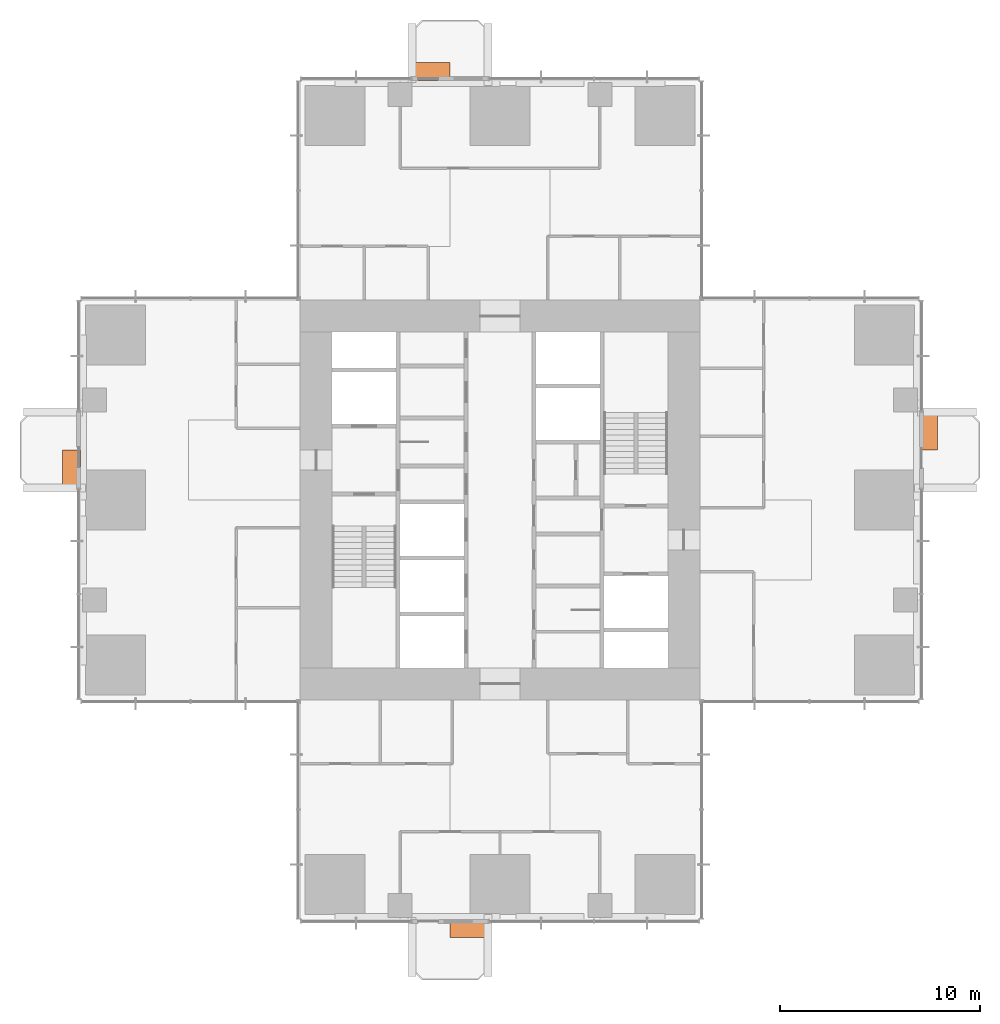
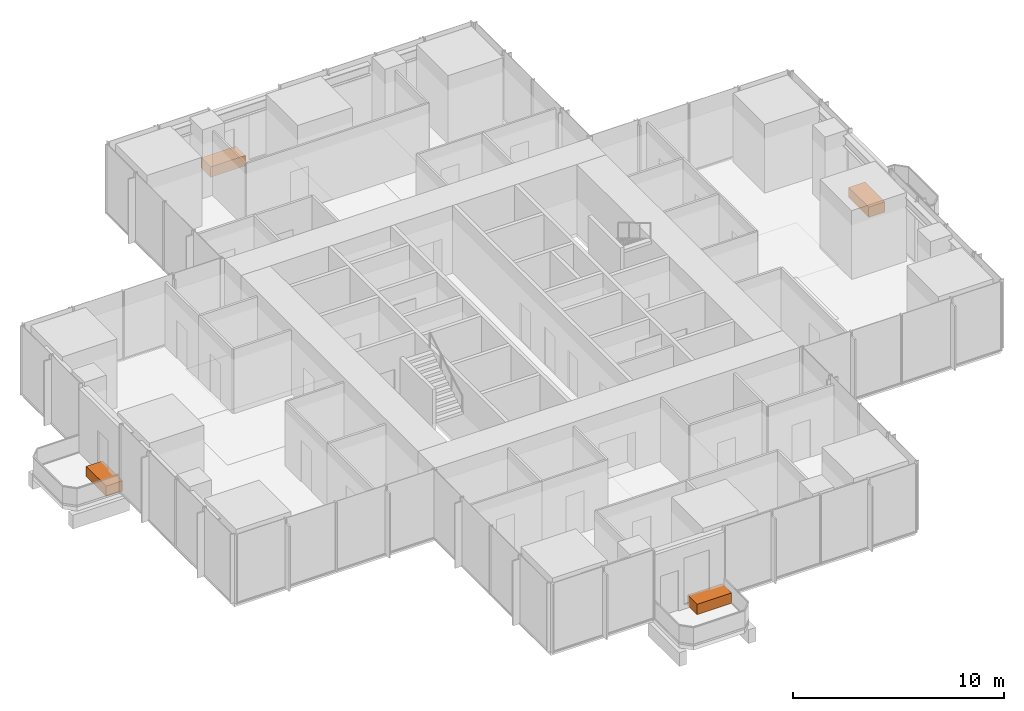
# One storey, part 13 of 13: 4 proxies.
"""IFC4 building model written with IfcOpenShell, lengths in metres."""

from ifc_helpers import new_model, si_unit, direction, frame, origin, origin_2d, place, context, subcontext, project, spatial, rectangle, extrude, element, save


model = new_model("IFC4")

# Units and contexts
model_context = context("Model", 3, precision=1e-05, world=origin(), true_north=direction((0.0, 1.0)))
body_context = subcontext(model_context, "Body", "Model", "MODEL_VIEW")
ifc_project = project(units=[si_unit("LENGTHUNIT", "METRE"), si_unit("AREAUNIT", "SQUARE_METRE"), si_unit("VOLUMEUNIT", "CUBIC_METRE"), si_unit("PLANEANGLEUNIT", "RADIAN"), si_unit("MASSUNIT", "GRAM", prefix="KILO")], contexts=[model_context])

# Site, building, storey
site_placement = place(None, origin())
site = spatial("IfcSite", under=ifc_project, at=site_placement, CompositionType="ELEMENT")
building_placement = place(site_placement, origin())
building = spatial("IfcBuilding", under=site, at=building_placement, Name="Svetlomir Tower", CompositionType="ELEMENT")
storey_placement = place(building_placement, frame((0.0, 0.0, 124.5)))
storey = spatial("IfcBuildingStorey", under=building, at=storey_placement, Name="L29", CompositionType="ELEMENT", Elevation=124.5)

# Proxies
proxy_1_placement = place(storey_placement, frame((19.449951171875, -0.449951171875, 0.0400390625), z_axis=(0.0, 0.0, 1.0), x_axis=(1.0, 0.0, 0.0)))
element("IfcBuildingElementProxy", 1, at=proxy_1_placement, inside=storey, Name="Tree planter S L29", ObjectType="PLANTER", PredefinedType="USERDEFINED", context=body_context, shape_type="SweptSolid", body=[
    extrude(rectangle(XDim=1.89990234375, YDim=0.89990234375, at=origin_2d()), origin(), (0.0, 0.0, 1.0), 0.60009765625),
])
proxy_2_placement = place(storey_placement, frame((42.449951171875, 24.449951171875, 0.0400390625), z_axis=(0.0, 0.0, 1.0), x_axis=(1.0, 0.0, 0.0)))
element("IfcBuildingElementProxy", 2, at=proxy_2_placement, inside=storey, Name="Tree planter E L29", ObjectType="PLANTER", PredefinedType="USERDEFINED", context=body_context, shape_type="SweptSolid", body=[
    extrude(rectangle(XDim=0.89990234375, YDim=1.89990234375, at=origin_2d()), origin(), (0.0, 0.0, 1.0), 0.60009765625),
])
proxy_3_placement = place(storey_placement, frame((17.550048828125, 42.449951171875, 0.0400390625), z_axis=(0.0, 0.0, 1.0), x_axis=(1.0, 0.0, 0.0)))
element("IfcBuildingElementProxy", 3, at=proxy_3_placement, inside=storey, Name="Tree planter N L29", ObjectType="PLANTER", PredefinedType="USERDEFINED", context=body_context, shape_type="SweptSolid", body=[
    extrude(rectangle(XDim=1.89990234375, YDim=0.89990234375, at=origin_2d()), origin(), (0.0, 0.0, 1.0), 0.60009765625),
])
proxy_4_placement = place(storey_placement, frame((-0.449951171875, 22.550048828125, 0.0400390625), z_axis=(0.0, 0.0, 1.0), x_axis=(1.0, 0.0, 0.0)))
element("IfcBuildingElementProxy", 4, at=proxy_4_placement, inside=storey, Name="Tree planter W L29", ObjectType="PLANTER", PredefinedType="USERDEFINED", context=body_context, shape_type="SweptSolid", body=[
    extrude(rectangle(XDim=0.89990234375, YDim=1.89990234375, at=origin_2d()), origin(), (0.0, 0.0, 1.0), 0.60009765625),
])

save(model, "model.ifc")
